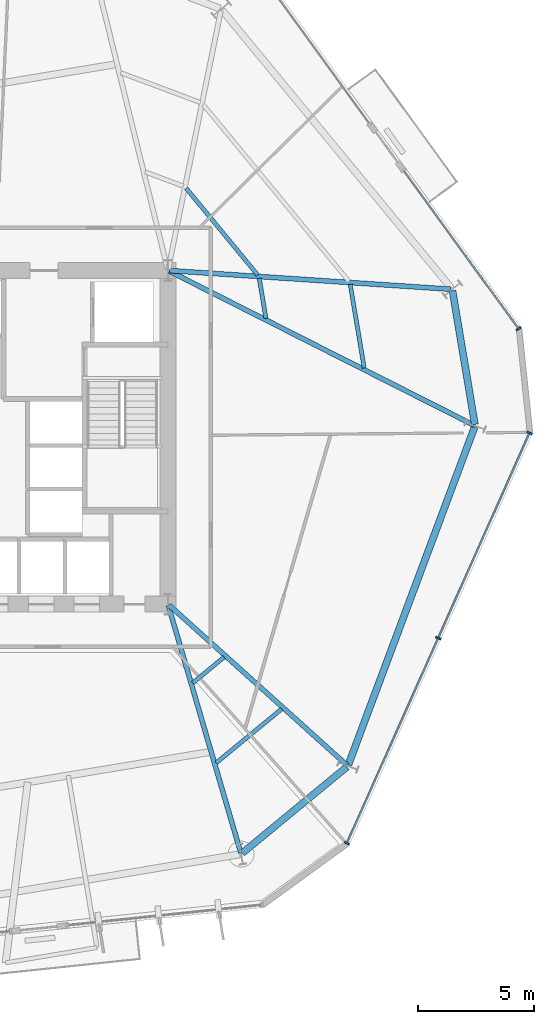
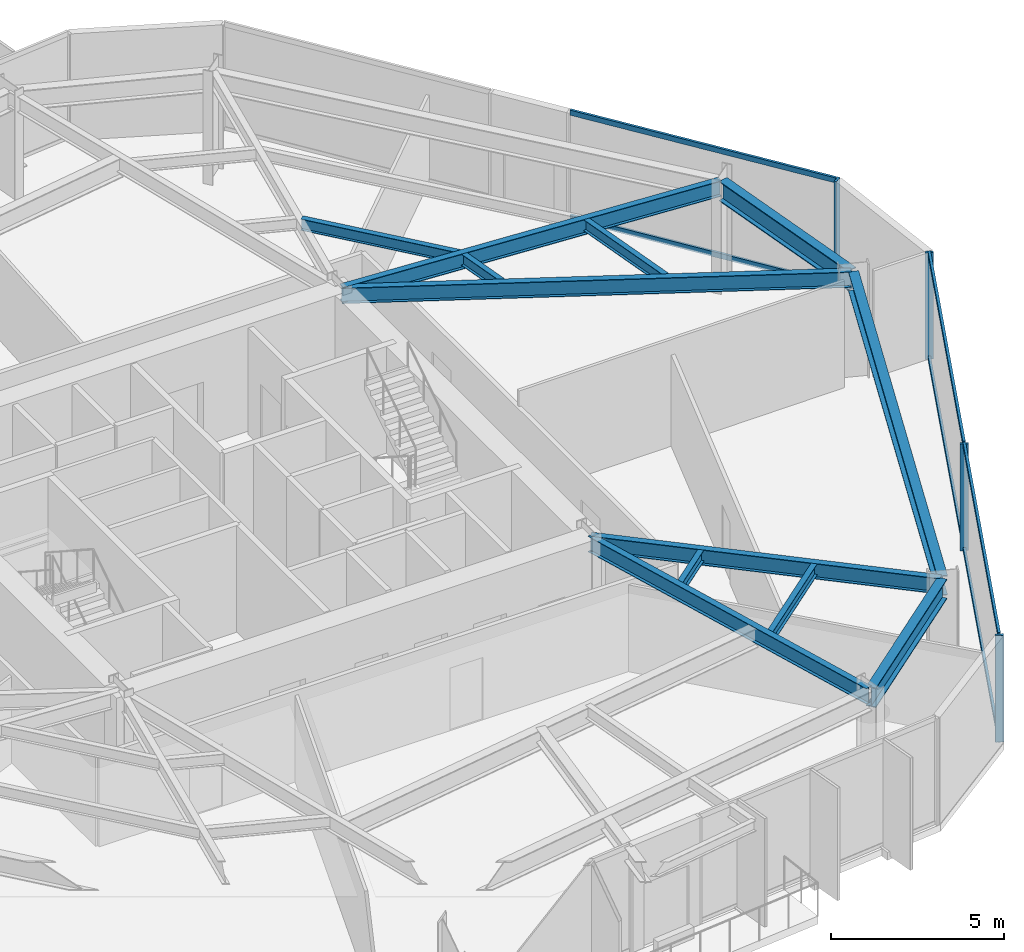
# One storey, part 4 of 11: 12 beams, 10 members, 2 elements without a shape of their own.
"""IFC4 building model written with IfcOpenShell, lengths in metres."""

from ifc_helpers import new_model, si_unit, direction, frame, origin, origin_2d, place, context, subcontext, project, spatial, rectangle, i_section, extrude, material, layer, layer_set, material_profile, profile_set, type_object, element, aggregate, save


model = new_model("IFC4")

# Units and contexts
model_context = context("Model", 3, precision=1e-05, world=origin(), true_north=direction((0.0, 1.0)))
body_context = subcontext(model_context, "Body", "Model", "MODEL_VIEW")
ifc_project = project(units=[si_unit("LENGTHUNIT", "METRE"), si_unit("AREAUNIT", "SQUARE_METRE"), si_unit("VOLUMEUNIT", "CUBIC_METRE"), si_unit("PLANEANGLEUNIT", "RADIAN"), si_unit("MASSUNIT", "GRAM", prefix="KILO")], contexts=[model_context])

# Site, building, storey
site_placement = place(None, origin())
site = spatial("IfcSite", under=ifc_project, at=site_placement, CompositionType="ELEMENT")
building_placement = place(site_placement, origin())
building = spatial("IfcBuilding", under=site, at=building_placement, Name="Kranzbogen Civic Tower", CompositionType="ELEMENT")
storey_placement = place(building_placement, frame((0.0, 0.0, 44.0)))
storey = spatial("IfcBuildingStorey", under=building, at=storey_placement, Name="L10", CompositionType="ELEMENT", Elevation=44.0)

# Curtain wall, member
ifc_material_1 = material(Name="Pale Anodised Aluminium", Category="aluminium")
ifc_layer = layer(ifc_material_1, 0.219970703125, Name="Pale Anodised Aluminium")
ifc_layer_set = layer_set([ifc_layer], Name="Pale Anodised Aluminium")
curtain_wall_type = type_object("IfcCurtainWallType", Name="Zone 1 Stick Curtain Wall System CW-02", PredefinedType="USERDEFINED", material=ifc_layer_set)
curtain_wall_1_placement = place(storey_placement, origin())
curtain_wall_1 = element("IfcCurtainWall", 1, at=curtain_wall_1_placement, inside=storey, type_object=curtain_wall_type, Name="L10 curtain wall CW-L10-F1-S1", ObjectType="STICK CURTAIN WALL", PredefinedType="USERDEFINED")
ifc_material_profile_1 = material_profile(ifc_material_1, rectangle(XDim=0.080078125, YDim=0.239990234375, at=origin_2d()), Name="ALU-M 80x240")
ifc_profile_set_1 = profile_set([ifc_material_profile_1], Name="Pale Anodised Aluminium")
member_type_1 = type_object("IfcMemberType", Name="Curtain Wall Mullion ALU-M 80x240", PredefinedType="MULLION", material=ifc_profile_set_1)
member_1_placement = place(storey_placement, frame((47.936279296875, 29.685302734375, 0.0), z_axis=(0.0, 0.0, 1.0), x_axis=(-0.587801827819, 0.809004951291, 0.0)))
member_1 = element("IfcMember", 2, at=member_1_placement, type_object=member_type_1, Name="CW-02 mullion 1", PredefinedType="MULLION", context=body_context, shape_type="SweptSolid", body=[
    extrude(rectangle(XDim=0.080078125, YDim=0.239990234375, at=origin_2d()), origin(), (0.0, 0.0, 1.0), 3.760009765625),
])

# Curtain wall, members
curtain_wall_2_placement = place(storey_placement, origin())
curtain_wall_2 = element("IfcCurtainWall", 3, at=curtain_wall_2_placement, inside=storey, type_object=curtain_wall_type, Name="L10 curtain wall CW-L10-F6", ObjectType="STICK CURTAIN WALL", PredefinedType="USERDEFINED")
member_2_placement = place(storey_placement, frame((40.526123046875, 7.4794921875, 0.0), z_axis=(0.0, 0.0, 1.0), x_axis=(0.406749234104, 0.913539851652, 0.0)))
member_2 = element("IfcMember", 4, at=member_2_placement, type_object=member_type_1, Name="CW-02 mullion 1", PredefinedType="MULLION", context=body_context, shape_type="SweptSolid", body=[
    extrude(rectangle(XDim=0.080078125, YDim=0.239990234375, at=origin_2d()), origin(), (0.0, 0.0, 1.0), 3.760009765625),
])
member_3_placement = place(storey_placement, frame((44.468017578125, 16.33251953125, 0.0), z_axis=(0.0, 0.0, 1.0), x_axis=(0.406749234104, 0.913539851652, 0.0)))
member_3 = element("IfcMember", 5, at=member_3_placement, type_object=member_type_1, Name="CW-02 mullion 2", PredefinedType="MULLION", context=body_context, shape_type="SweptSolid", body=[
    extrude(rectangle(XDim=0.080078125, YDim=0.239990234375, at=origin_2d()), origin(), (0.0, 0.0, 1.0), 3.760009765625),
])
member_4_placement = place(storey_placement, frame((48.409912109375, 25.185546875, 0.0), z_axis=(0.0, 0.0, 1.0), x_axis=(0.406749234104, 0.913539851652, 0.0)))
member_4 = element("IfcMember", 6, at=member_4_placement, type_object=member_type_1, Name="CW-02 mullion 3", PredefinedType="MULLION", context=body_context, shape_type="SweptSolid", body=[
    extrude(rectangle(XDim=0.080078125, YDim=0.239990234375, at=origin_2d()), origin(), (0.0, 0.0, 1.0), 3.760009765625),
])

# Member
ifc_material_profile_2 = material_profile(ifc_material_1, rectangle(XDim=0.080078125, YDim=0.179931640625, at=origin_2d()), Name="ALU-T 80x180")
ifc_profile_set_2 = profile_set([ifc_material_profile_2], Name="Pale Anodised Aluminium")
member_type_2 = type_object("IfcMemberType", Name="Curtain Wall Transom ALU-T 80x180", PredefinedType="USERDEFINED", material=ifc_profile_set_2)
member_5_placement = place(storey_placement, frame((47.918701171875, 29.70947265625, 0.030029296875), z_axis=(-0.587805336941, 0.809002401643, 0.0), x_axis=(-0.809002401643, -0.587805336941, 0.0)))
member_5 = element("IfcMember", 7, at=member_5_placement, type_object=member_type_2, Name="CW-02 transom 1.1", ObjectType="TRANSOM", PredefinedType="USERDEFINED", context=body_context, shape_type="SweptSolid", body=[
    extrude(rectangle(XDim=0.080078125, YDim=0.179931640625, at=origin_2d()), origin(), (0.0, 0.0, 1.0), 8.401611328125),
])

member_6_placement = place(storey_placement, frame((47.918701171875, 29.70947265625, 3.72998046875), z_axis=(-0.587805336941, 0.809002401643, 0.0), x_axis=(-0.809002401643, -0.587805336941, 0.0)))
member_6 = element("IfcMember", 8, at=member_6_placement, type_object=member_type_2, Name="CW-02 transom 1.2", ObjectType="TRANSOM", PredefinedType="USERDEFINED", context=body_context, shape_type="SweptSolid", body=[
    extrude(rectangle(XDim=0.080078125, YDim=0.179931640625, at=origin_2d()), origin(), (0.0, 0.0, 1.0), 8.401611328125),
])

aggregate(curtain_wall_1, [member_1, member_5, member_6])

member_7_placement = place(storey_placement, frame((40.538330078125, 7.5068359375, 0.030029296875), z_axis=(0.406754596489, 0.913537464057, 0.0), x_axis=(-0.913537464057, 0.406754596489, 0.0)))
member_7 = element("IfcMember", 9, at=member_7_placement, type_object=member_type_2, Name="CW-02 transom 1.1", ObjectType="TRANSOM", PredefinedType="USERDEFINED", context=body_context, shape_type="SweptSolid", body=[
    extrude(rectangle(XDim=0.080078125, YDim=0.179931640625, at=origin_2d()), origin(), (0.0, 0.0, 1.0), 9.631103515625),
])

member_8_placement = place(storey_placement, frame((40.538330078125, 7.5068359375, 3.72998046875), z_axis=(0.406754596489, 0.913537464057, 0.0), x_axis=(-0.913537464057, 0.406754596489, 0.0)))
member_8 = element("IfcMember", 10, at=member_8_placement, type_object=member_type_2, Name="CW-02 transom 1.2", ObjectType="TRANSOM", PredefinedType="USERDEFINED", context=body_context, shape_type="SweptSolid", body=[
    extrude(rectangle(XDim=0.080078125, YDim=0.179931640625, at=origin_2d()), origin(), (0.0, 0.0, 1.0), 9.631103515625),
])

member_9_placement = place(storey_placement, frame((44.480224609375, 16.35986328125, 0.030029296875), z_axis=(0.406754596489, 0.913537464057, 0.0), x_axis=(-0.913537464057, 0.406754596489, 0.0)))
member_9 = element("IfcMember", 11, at=member_9_placement, type_object=member_type_2, Name="CW-02 transom 2.1", ObjectType="TRANSOM", PredefinedType="USERDEFINED", context=body_context, shape_type="SweptSolid", body=[
    extrude(rectangle(XDim=0.080078125, YDim=0.179931640625, at=origin_2d()), origin(), (0.0, 0.0, 1.0), 9.631103515625),
])

member_10_placement = place(storey_placement, frame((44.480224609375, 16.35986328125, 3.72998046875), z_axis=(0.406754596489, 0.913537464057, 0.0), x_axis=(-0.913537464057, 0.406754596489, 0.0)))
member_10 = element("IfcMember", 12, at=member_10_placement, type_object=member_type_2, Name="CW-02 transom 2.2", ObjectType="TRANSOM", PredefinedType="USERDEFINED", context=body_context, shape_type="SweptSolid", body=[
    extrude(rectangle(XDim=0.080078125, YDim=0.179931640625, at=origin_2d()), origin(), (0.0, 0.0, 1.0), 9.631103515625),
])

aggregate(curtain_wall_2, [member_2, member_3, member_4, member_7, member_8, member_9, member_10])

# Beams
ifc_material_2 = material(Name="Steel S355", Category="steel")
ifc_material_profile_3 = material_profile(ifc_material_2, i_section(OverallWidth=0.300048828125, OverallDepth=0.699951171875, WebThickness=0.01708984375, FlangeThickness=0.031982421875, at=origin_2d()), Name="HEB 700")
ifc_profile_set_3 = profile_set([ifc_material_profile_3], Name="Steel S355")
beam_type_1 = type_object("IfcBeamType", Name="Perimeter Tube Spandrel Beam HEB 700", PredefinedType="SPANDREL", material=ifc_profile_set_3)
beam_1_placement = place(storey_placement, frame((36.00390625, 7.050048828125, 3.409912109375), z_axis=(0.77168336865, 0.636006901337, 0.0), x_axis=(-0.636006901337, 0.77168336865, 0.0)))
element("IfcBeam", 13, at=beam_1_placement, inside=storey, type_object=beam_type_1, Name="L10 perimeter spandrel beam 05", PredefinedType="SPANDREL", context=body_context, shape_type="SweptSolid", body=[
    extrude(i_section(OverallWidth=0.300048828125, OverallDepth=0.699951171875, WebThickness=0.01708984375, FlangeThickness=0.031982421875, at=origin_2d()), origin(), (0.0, 0.0, 1.0), 5.853515625),
])
beam_2_placement = place(storey_placement, frame((40.587890625, 10.866943359375, 3.409912109375), z_axis=(0.350172267932, 0.936685316833, 0.0), x_axis=(-0.936685316833, 0.350172267932, 0.0)))
element("IfcBeam", 14, at=beam_2_placement, inside=storey, type_object=beam_type_1, Name="L10 perimeter spandrel beam 06", PredefinedType="SPANDREL", context=body_context, shape_type="SweptSolid", body=[
    extrude(i_section(OverallWidth=0.300048828125, OverallDepth=0.699951171875, WebThickness=0.01708984375, FlangeThickness=0.031982421875, at=origin_2d()), origin(), (0.0, 0.0, 1.0), 15.55810546875),
])
beam_3_placement = place(storey_placement, frame((46.047119140625, 25.554931640625, 3.409912109375), z_axis=(-0.164913116942, 0.986308097838, 0.0), x_axis=(-0.986308097838, -0.164913116942, 0.0)))
element("IfcBeam", 15, at=beam_3_placement, inside=storey, type_object=beam_type_1, Name="L10 perimeter spandrel beam 07", PredefinedType="SPANDREL", context=body_context, shape_type="SweptSolid", body=[
    extrude(i_section(OverallWidth=0.300048828125, OverallDepth=0.699951171875, WebThickness=0.01708984375, FlangeThickness=0.031982421875, at=origin_2d()), origin(), (0.0, 0.0, 1.0), 5.85205078125),
])
ifc_material_profile_4 = material_profile(ifc_material_2, i_section(OverallWidth=0.2099609375, OverallDepth=0.550048828125, WebThickness=0.010986328125, FlangeThickness=0.01708984375, at=origin_2d()), Name="IPE 550")
ifc_profile_set_4 = profile_set([ifc_material_profile_4], Name="Steel S355")
beam_type_2 = type_object("IfcBeamType", Name="Radial Tower Floor Girder IPE 550", PredefinedType="BEAM", material=ifc_profile_set_4)
beam_4_placement = place(storey_placement, frame((35.94091796875, 7.070068359375, 3.485107421875), z_axis=(-0.280944131918, 0.959724124288, 0.0), x_axis=(-0.959724124288, -0.280944131918, 0.0)))
element("IfcBeam", 16, at=beam_4_placement, inside=storey, type_object=beam_type_2, Name="L10 radial floor girder 05", PredefinedType="BEAM", context=body_context, shape_type="SweptSolid", body=[
    extrude(i_section(OverallWidth=0.2099609375, OverallDepth=0.550048828125, WebThickness=0.010986328125, FlangeThickness=0.01708984375, at=origin_2d()), origin(), (0.0, 0.0, 1.0), 11.11962890625),
])
beam_5_placement = place(storey_placement, frame((40.52197265625, 10.85107421875, 3.485107421875), z_axis=(-0.743311776894, 0.668945141496, 0.0), x_axis=(-0.668945141496, -0.743311776894, 0.0)))
element("IfcBeam", 17, at=beam_5_placement, inside=storey, type_object=beam_type_2, Name="L10 radial floor girder 06", PredefinedType="BEAM", context=body_context, shape_type="SweptSolid", body=[
    extrude(i_section(OverallWidth=0.2099609375, OverallDepth=0.550048828125, WebThickness=0.010986328125, FlangeThickness=0.01708984375, at=origin_2d()), origin(), (0.0, 0.0, 1.0), 10.328125),
])
beam_6_placement = place(storey_placement, frame((46.0029296875, 25.52294921875, 3.485107421875), z_axis=(-0.892363219254, 0.451317942168, 0.0), x_axis=(-0.451317942168, -0.892363219254, 0.0)))
element("IfcBeam", 18, at=beam_6_placement, inside=storey, type_object=beam_type_2, Name="L10 radial floor girder 07", PredefinedType="BEAM", context=body_context, shape_type="SweptSolid", body=[
    extrude(i_section(OverallWidth=0.2099609375, OverallDepth=0.550048828125, WebThickness=0.010986328125, FlangeThickness=0.01708984375, at=origin_2d()), origin(), (0.0, 0.0, 1.0), 14.73486328125),
])
beam_7_placement = place(storey_placement, frame((45.011962890625, 31.389892578125, 3.485107421875), z_axis=(-0.99780674843, 0.066194356156, 0.0), x_axis=(-0.066194356156, -0.99780674843, 0.0)))
element("IfcBeam", 19, at=beam_7_placement, inside=storey, type_object=beam_type_2, Name="L10 radial floor girder 08", PredefinedType="BEAM", context=body_context, shape_type="SweptSolid", body=[
    extrude(i_section(OverallWidth=0.2099609375, OverallDepth=0.550048828125, WebThickness=0.010986328125, FlangeThickness=0.01708984375, at=origin_2d()), origin(), (0.0, 0.0, 1.0), 12.178466796875),
])
ifc_material_profile_5 = material_profile(ifc_material_2, i_section(OverallWidth=0.179931640625, OverallDepth=0.39990234375, WebThickness=0.008544921875, FlangeThickness=0.013427734375, at=origin_2d()), Name="IPE 400")
ifc_profile_set_5 = profile_set([ifc_material_profile_5], Name="Steel S355")
beam_type_3 = type_object("IfcBeamType", Name="Secondary Composite Floor Joist IPE 400", PredefinedType="JOIST", material=ifc_profile_set_5)
beam_8_placement = place(storey_placement, frame((34.883056640625, 10.947021484375, 3.56005859375), z_axis=(0.771712720426, 0.635971286406, 0.0), x_axis=(-0.635971286406, 0.771712720426, 0.0)))
element("IfcBeam", 20, at=beam_8_placement, inside=storey, type_object=beam_type_3, Name="L10 secondary floor joist 1.05", PredefinedType="JOIST", context=body_context, shape_type="SweptSolid", body=[
    extrude(i_section(OverallWidth=0.179931640625, OverallDepth=0.39990234375, WebThickness=0.008544921875, FlangeThickness=0.013427734375, at=origin_2d()), origin(), (0.0, 0.0, 1.0), 3.661865234375),
])
beam_9_placement = place(storey_placement, frame((33.8720703125, 14.39892578125, 3.56005859375), z_axis=(0.771773324836, 0.635897739477, 0.0), x_axis=(-0.635897739477, 0.771773324836, 0.0)))
element("IfcBeam", 21, at=beam_9_placement, inside=storey, type_object=beam_type_3, Name="L10 secondary floor joist 2.05", PredefinedType="JOIST", context=body_context, shape_type="SweptSolid", body=[
    extrude(i_section(OverallWidth=0.179931640625, OverallDepth=0.39990234375, WebThickness=0.008544921875, FlangeThickness=0.013427734375, at=origin_2d()), origin(), (0.0, 0.0, 1.0), 1.751953125),
])
beam_10_placement = place(storey_placement, frame((41.27099609375, 27.988037109375, 3.56005859375), z_axis=(-0.164928678379, 0.986305495802, 0.0), x_axis=(-0.986305495802, -0.164928678379, 0.0)))
element("IfcBeam", 22, at=beam_10_placement, inside=storey, type_object=beam_type_3, Name="L10 secondary floor joist 1.07", PredefinedType="JOIST", context=body_context, shape_type="SweptSolid", body=[
    extrude(i_section(OverallWidth=0.179931640625, OverallDepth=0.39990234375, WebThickness=0.008544921875, FlangeThickness=0.013427734375, at=origin_2d()), origin(), (0.0, 0.0, 1.0), 3.662109375),
])
beam_11_placement = place(storey_placement, frame((37.029052734375, 30.134033203125, 3.56005859375), z_axis=(-0.165077224104, 0.986280644686, 0.0), x_axis=(-0.986280644686, -0.165077224104, 0.0)))
element("IfcBeam", 23, at=beam_11_placement, inside=storey, type_object=beam_type_3, Name="L10 secondary floor joist 2.07", PredefinedType="JOIST", context=body_context, shape_type="SweptSolid", body=[
    extrude(i_section(OverallWidth=0.179931640625, OverallDepth=0.39990234375, WebThickness=0.008544921875, FlangeThickness=0.013427734375, at=origin_2d()), origin(), (0.0, 0.0, 1.0), 1.7509765625),
])
beam_12_placement = place(storey_placement, frame((36.676025390625, 32.0009765625, 3.56005859375), z_axis=(-0.636012010413, 0.771679157818, 0.0), x_axis=(-0.771679157818, -0.636012010413, 0.0)))
element("IfcBeam", 24, at=beam_12_placement, inside=storey, type_object=beam_type_3, Name="L10 secondary floor joist 2.08", PredefinedType="JOIST", context=body_context, shape_type="SweptSolid", body=[
    extrude(i_section(OverallWidth=0.179931640625, OverallDepth=0.39990234375, WebThickness=0.008544921875, FlangeThickness=0.013427734375, at=origin_2d()), origin(), (0.0, 0.0, 1.0), 4.85693359375),
])

save(model, "model.ifc")
